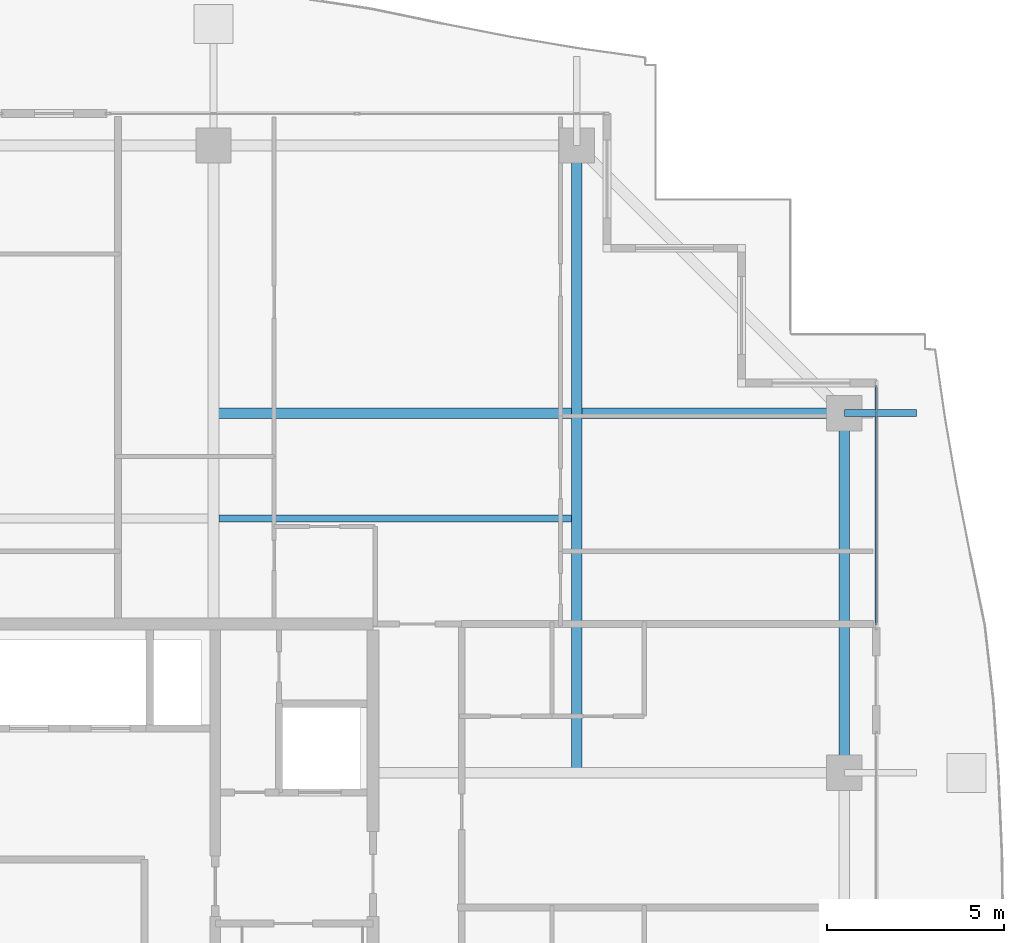
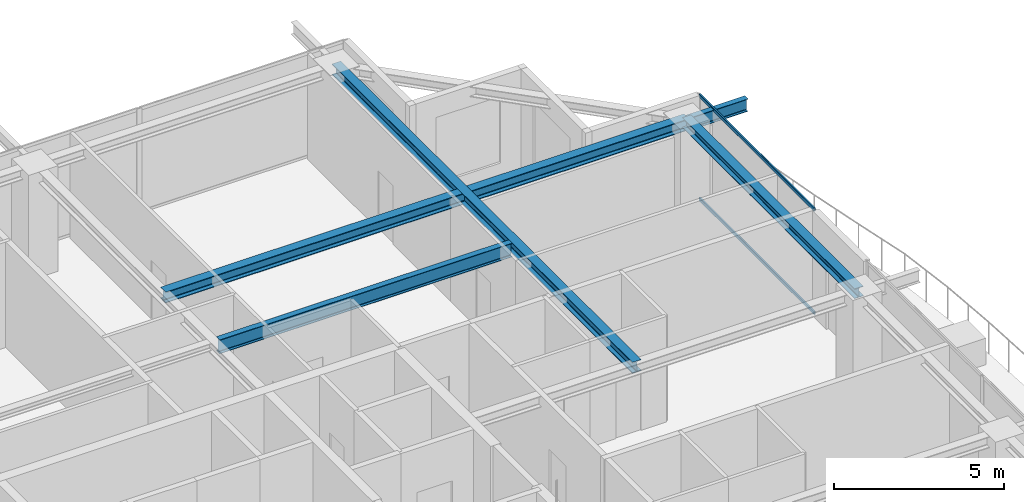
# One storey, part 24 of 39: 5 beams, 2 members, 1 element without a shape of its own.
"""IFC4 building model written with IfcOpenShell, lengths in metres."""

from ifc_helpers import new_model, si_unit, direction, frame, origin, origin_2d, place, context, subcontext, project, spatial, hollow_rectangle, i_section, extrude, source, transform, mapped, material, layer, layer_set, material_profile, profile_set, type_object, element, aggregate, save


model = new_model("IFC4")

# Units and contexts
model_context = context("Model", 3, precision=1e-05, world=origin(), true_north=direction((0.0, 1.0)))
body_context = subcontext(model_context, "Body", "Model", "MODEL_VIEW")
ifc_project = project(units=[si_unit("LENGTHUNIT", "METRE"), si_unit("AREAUNIT", "SQUARE_METRE"), si_unit("VOLUMEUNIT", "CUBIC_METRE"), si_unit("PLANEANGLEUNIT", "RADIAN"), si_unit("MASSUNIT", "GRAM", prefix="KILO")], contexts=[model_context])

# Site, building, storey
site_placement = place(None, origin())
site = spatial("IfcSite", under=ifc_project, at=site_placement, CompositionType="ELEMENT")
building_placement = place(site_placement, origin())
building = spatial("IfcBuilding", under=site, at=building_placement, Name="Serunith Strait Residences", CompositionType="ELEMENT")
storey_placement = place(building_placement, frame((0.0, 0.0, 329.89990234375)))
storey = spatial("IfcBuildingStorey", under=building, at=storey_placement, Name="L82", CompositionType="ELEMENT", Elevation=329.89990234375)

# Beams
ifc_material_1 = material(Name="Steel S355J2", Category="steel")
ifc_material_profile_1 = material_profile(ifc_material_1, i_section(OverallWidth=0.199951171875, OverallDepth=0.5, WebThickness=0.01025390625, FlangeThickness=0.01611328125, FilletRadius=0.02099609375, at=origin_2d()), Name="IPE 500")
ifc_profile_set_1 = profile_set([ifc_material_profile_1], Name="Steel S355J2")
beam_type_1 = type_object("IfcBeamType", Name="BM-IPE500", PredefinedType="JOIST", material=ifc_profile_set_1)
shared_shape_1 = source(origin(), body_context, "Body", "SweptSolid", [
    extrude(i_section(OverallWidth=0.199951171875, OverallDepth=0.5, WebThickness=0.01025390625, FlangeThickness=0.01611328125, FilletRadius=0.02099609375, at=origin_2d()), origin(), (0.0, 0.0, 1.0), 9.949951171875),
])
beam_1_placement = place(storey_placement, frame((37.050048828125, 36.574951171875, 3.537109375), z_axis=(1.0, 0.0, 0.0), x_axis=(0.0, 1.0, 0.0)))
element("IfcBeam", 1, at=beam_1_placement, inside=storey, type_object=beam_type_1, Name="L82 Composite Floor Joist 06", PredefinedType="JOIST", context=body_context, shape_type="MappedRepresentation", body=[
    mapped(shared_shape_1, transform((0.0, 0.0, 0.0), scale=1.0)),
])
ifc_material_profile_2 = material_profile(ifc_material_1, i_section(OverallWidth=0.300048828125, OverallDepth=0.39990234375, WebThickness=0.013427734375, FlangeThickness=0.02392578125, FilletRadius=0.027099609375, at=origin_2d()), Name="HEB 400")
ifc_profile_set_2 = profile_set([ifc_material_profile_2], Name="Steel S355J2")
beam_type_2 = type_object("IfcBeamType", Name="BM-HEB400", PredefinedType="BEAM", material=ifc_profile_set_2)
shared_shape_2 = source(origin(), body_context, "Body", "SweptSolid", [
    extrude(i_section(OverallWidth=0.300048828125, OverallDepth=0.39990234375, WebThickness=0.013427734375, FlangeThickness=0.02392578125, FilletRadius=0.027099609375, at=origin_2d()), origin(), (0.0, 0.0, 1.0), 17.7001953125),
])
beam_2_placement = place(storey_placement, frame((47.14990234375, 29.39990234375, 3.587158203125), z_axis=(0.0, 1.0, 0.0), x_axis=(-1.0, 0.0, 0.0)))
element("IfcBeam", 2, at=beam_2_placement, inside=storey, type_object=beam_type_2, Name="L82 Orthogonal Corner Girder TC-N4", PredefinedType="BEAM", context=body_context, shape_type="MappedRepresentation", body=[
    mapped(shared_shape_2, transform((0.0, 0.0, 0.0), scale=1.0)),
])
shared_shape_3 = source(origin(), body_context, "Body", "SweptSolid", [
    extrude(i_section(OverallWidth=0.300048828125, OverallDepth=0.39990234375, WebThickness=0.013427734375, FlangeThickness=0.02392578125, FilletRadius=0.027099609375, at=origin_2d()), origin(), (0.0, 0.0, 1.0), 17.800048828125),
])
beam_3_placement = place(storey_placement, frame((36.89990234375, 39.550048828125, 3.587158203125), z_axis=(1.0, 0.0, 0.0), x_axis=(0.0, 1.0, 0.0)))
element("IfcBeam", 3, at=beam_3_placement, inside=storey, type_object=beam_type_2, Name="L82 Orthogonal Corner Girder TC-E4", PredefinedType="BEAM", context=body_context, shape_type="MappedRepresentation", body=[
    mapped(shared_shape_3, transform((0.0, 0.0, 0.0), scale=1.0)),
])
ifc_material_profile_3 = material_profile(ifc_material_1, i_section(OverallWidth=0.300048828125, OverallDepth=0.360107421875, WebThickness=0.012451171875, FlangeThickness=0.0224609375, FilletRadius=0.027099609375, at=origin_2d()), Name="HEB 360")
ifc_profile_set_3 = profile_set([ifc_material_profile_3], Name="Steel S355J2")
beam_type_3 = type_object("IfcBeamType", Name="BM-HEB360", PredefinedType="BEAM", material=ifc_profile_set_3)
shared_shape_4 = source(origin(), body_context, "Body", "SweptSolid", [
    extrude(i_section(OverallWidth=0.300048828125, OverallDepth=0.360107421875, WebThickness=0.012451171875, FlangeThickness=0.0224609375, FilletRadius=0.027099609375, at=origin_2d()), origin(), (0.0, 0.0, 1.0), 10.150146484375),
])
beam_4_placement = place(storey_placement, frame((54.699951171875, 29.39990234375, 3.607177734375), z_axis=(0.0, 1.0, 0.0), x_axis=(-1.0, 0.0, 0.0)))
element("IfcBeam", 4, at=beam_4_placement, inside=storey, type_object=beam_type_3, Name="L82 Perimeter Ring Beam 07", PredefinedType="BEAM", context=body_context, shape_type="MappedRepresentation", body=[
    mapped(shared_shape_4, transform((0.0, 0.0, 0.0), scale=1.0)),
])
ifc_material_profile_4 = material_profile(ifc_material_1, i_section(OverallWidth=0.18994140625, OverallDepth=0.449951171875, WebThickness=0.009521484375, FlangeThickness=0.0146484375, FilletRadius=0.02099609375, at=origin_2d()), Name="IPE 450")
ifc_profile_set_4 = profile_set([ifc_material_profile_4], Name="Steel S355J2")
beam_type_4 = type_object("IfcBeamType", Name="BM-IPE450", PredefinedType="JOIST", material=ifc_profile_set_4)
shared_shape_5 = source(origin(), body_context, "Body", "SweptSolid", [
    extrude(i_section(OverallWidth=0.18994140625, OverallDepth=0.449951171875, WebThickness=0.009521484375, FlangeThickness=0.0146484375, FilletRadius=0.02099609375, at=origin_2d()), origin(), (0.0, 0.0, 1.0), 2.030029296875),
])
beam_5_placement = place(storey_placement, frame((54.699951171875, 39.550048828125, 3.531982421875), z_axis=(1.0, 0.0, 0.0), x_axis=(0.0, 1.0, 0.0)))
element("IfcBeam", 5, at=beam_5_placement, inside=storey, type_object=beam_type_4, Name="L83 Cantilevered Balcony Rib TC-E4", PredefinedType="JOIST", context=body_context, shape_type="MappedRepresentation", body=[
    mapped(shared_shape_5, transform((0.0, 0.0, 0.0), scale=1.0)),
])

# Curtain wall, members
ifc_material_2 = material(Name="Brushed Stainless-Silver Aluminium", Category="aluminium")
ifc_layer = layer(ifc_material_2, 0.199951171875, Name="Brushed Stainless-Silver Aluminium")
ifc_layer_set = layer_set([ifc_layer], Name="Brushed Stainless-Silver Aluminium")
curtain_wall_type = type_object("IfcCurtainWallType", Name="CW-SYS5", PredefinedType="NOTDEFINED", material=ifc_layer_set)
curtain_wall_placement = place(storey_placement, origin())
curtain_wall = element("IfcCurtainWall", 6, at=curtain_wall_placement, inside=storey, type_object=curtain_wall_type, Name="L82 E Unitised Fritted Curtain Wall", PredefinedType="NOTDEFINED")
ifc_material_profile_5 = material_profile(ifc_material_2, hollow_rectangle(XDim=0.06005859375, YDim=0.1201171875, WallThickness=0.00341796875, InnerFilletRadius=0.00537109375, OuterFilletRadius=0.0087890625, at=origin_2d()), Name="ALU 120x60x3.5")
ifc_profile_set_5 = profile_set([ifc_material_profile_5], Name="Brushed Stainless-Silver Aluminium")
member_type = type_object("IfcMemberType", Name="CW-SYS5-TRAN", PredefinedType="USERDEFINED", material=ifc_profile_set_5)
shared_shape_6 = source(origin(), body_context, "Body", "SweptSolid", [
    extrude(hollow_rectangle(XDim=0.06005859375, YDim=0.1201171875, WallThickness=0.00341796875, InnerFilletRadius=0.00537109375, OuterFilletRadius=0.0087890625, at=origin_2d()), origin(), (0.0, 0.0, 1.0), 6.77001953125),
])
member_1_placement = place(storey_placement, frame((55.60009765625, 33.56494140625, 0.030029296875), z_axis=(0.0, 1.0, 0.0), x_axis=(-1.0, 0.0, 0.0)))
member_1 = element("IfcMember", 7, at=member_1_placement, type_object=member_type, Name="CW-5 transom 1.1", ObjectType="TRANSOM", PredefinedType="USERDEFINED", context=body_context, shape_type="MappedRepresentation", body=[
    mapped(shared_shape_6, transform((0.0, 0.0, 0.0), scale=1.0)),
])
member_2_placement = place(storey_placement, frame((55.60009765625, 33.56494140625, 3.7451171875), z_axis=(0.0, 1.0, 0.0), x_axis=(-1.0, 0.0, 0.0)))
member_2 = element("IfcMember", 8, at=member_2_placement, type_object=member_type, Name="CW-5 transom 1.2", ObjectType="TRANSOM", PredefinedType="USERDEFINED", context=body_context, shape_type="MappedRepresentation", body=[
    mapped(shared_shape_6, transform((0.0, 0.0, 0.0), scale=1.0)),
])
aggregate(curtain_wall, [member_1, member_2])

save(model, "model.ifc")
